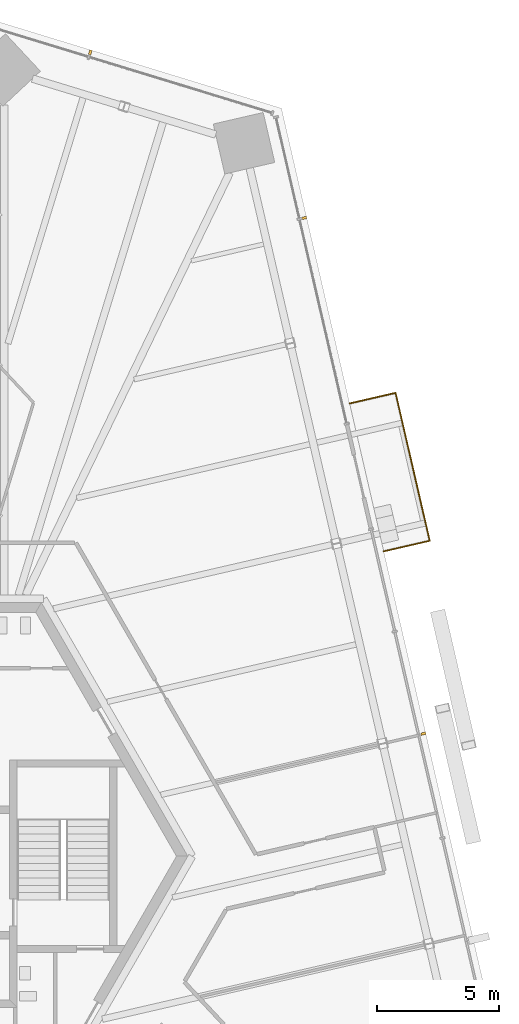
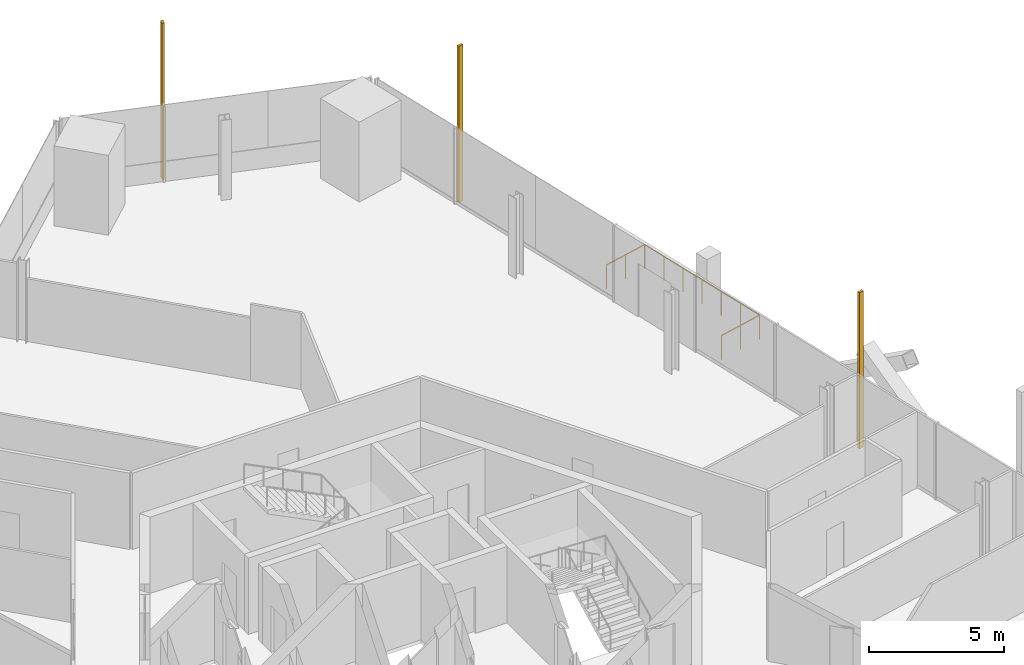
# One storey, part 21 of 24: 3 shading devices, 1 railing.
"""IFC4 building model written with IfcOpenShell, lengths in metres."""

from ifc_helpers import new_model, si_unit, direction, frame, origin, origin_2d, place, context, subcontext, project, spatial, rectangle, circle, extrude, source, transform, mapped, material, type_object, element, save


model = new_model("IFC4")

# Units and contexts
model_context = context("Model", 3, precision=1e-05, world=origin(), true_north=direction((0.0, 1.0)))
body_context = subcontext(model_context, "Body", "Model", "MODEL_VIEW")
ifc_project = project(units=[si_unit("LENGTHUNIT", "METRE"), si_unit("AREAUNIT", "SQUARE_METRE"), si_unit("VOLUMEUNIT", "CUBIC_METRE"), si_unit("PLANEANGLEUNIT", "RADIAN"), si_unit("MASSUNIT", "GRAM", prefix="KILO")], contexts=[model_context])

# Site, building, storey
site_placement = place(None, origin())
site = spatial("IfcSite", under=ifc_project, at=site_placement, CompositionType="ELEMENT")
building_placement = place(site_placement, origin())
building = spatial("IfcBuilding", under=site, at=building_placement, Name="Triune Harvest Tower", CompositionType="ELEMENT")
storey_placement = place(building_placement, frame((0.0, 0.0, 112.699951171875)))
storey = spatial("IfcBuildingStorey", under=building, at=storey_placement, Name="L28", CompositionType="ELEMENT", Elevation=112.699951171875)

# Railing
ifc_material_1 = material(Name="Glass", Category="glass")
railing_type = type_object("IfcRailingType", Name="GD-2 balcony guard 1100", PredefinedType="GUARDRAIL", material=ifc_material_1)
railing_placement = place(storey_placement, frame((20.02783203125, 12.489990234375, 0.0)))
element("IfcRailing", 1, at=railing_placement, inside=storey, type_object=railing_type, Name="Balcony guard B3-F1 L28.9", PredefinedType="GUARDRAIL", context=body_context, shape_type="SweptSolid", body=[
    extrude(circle(Radius=0.02392578125, at=origin_2d()), frame((0.0, 0.0, 1.076171875), z_axis=(0.974384803676, 0.224887203651, 0.0), x_axis=(-0.224887203651, 0.974384803676, 0.0)), (0.0, 0.0, 1.0), 1.931396484375),
    extrude(circle(Radius=0.02392578125, at=origin_2d()), frame((1.8818359375, 0.434326171875, 1.076171875), z_axis=(-0.224945519463, 0.974371342597, 0.0), x_axis=(-0.974371342597, -0.224945519463, 0.0)), (0.0, 0.0, 1.0), 6.218994140625),
    extrude(circle(Radius=0.02392578125, at=origin_2d()), frame((0.48291015625, 6.493896484375, 1.076171875), z_axis=(-0.9743570968, -0.225007217476, 0.0), x_axis=(0.225007217476, -0.9743570968, 0.0)), (0.0, 0.0, 1.0), 1.931396484375),
    extrude(circle(Radius=0.02099609375, at=origin_2d()), origin(), (0.0, 0.0, 1.0), 1.052001953125),
    extrude(circle(Radius=0.02099609375, at=origin_2d()), frame((0.94091796875, 0.21728515625, 0.0)), (0.0, 0.0, 1.0), 1.052001953125),
    extrude(circle(Radius=0.02099609375, at=origin_2d()), frame((1.8818359375, 0.434326171875, 0.0)), (0.0, 0.0, 1.0), 1.052001953125),
    extrude(circle(Radius=0.02099609375, at=origin_2d()), frame((1.648681640625, 1.4443359375, 0.0)), (0.0, 0.0, 1.0), 1.052001953125),
    extrude(circle(Radius=0.02099609375, at=origin_2d()), frame((1.41552734375, 2.4541015625, 0.0)), (0.0, 0.0, 1.0), 1.052001953125),
    extrude(circle(Radius=0.02099609375, at=origin_2d()), frame((1.182373046875, 3.464111328125, 0.0)), (0.0, 0.0, 1.0), 1.052001953125),
    extrude(circle(Radius=0.02099609375, at=origin_2d()), frame((0.94921875, 4.47412109375, 0.0)), (0.0, 0.0, 1.0), 1.052001953125),
    extrude(circle(Radius=0.02099609375, at=origin_2d()), frame((0.716064453125, 5.48388671875, 0.0)), (0.0, 0.0, 1.0), 1.052001953125),
    extrude(circle(Radius=0.02099609375, at=origin_2d()), frame((0.48291015625, 6.493896484375, 0.0)), (0.0, 0.0, 1.0), 1.052001953125),
    extrude(circle(Radius=0.02099609375, at=origin_2d()), frame((-0.4580078125, 6.276611328125, 0.0)), (0.0, 0.0, 1.0), 1.052001953125),
    extrude(circle(Radius=0.02099609375, at=origin_2d()), frame((-1.39892578125, 6.059326171875, 0.0)), (0.0, 0.0, 1.0), 1.052001953125),
])

# Shading devices
ifc_material_2 = material(Name="Aluminium bronze anodised", Category="aluminium")
shared_shape = source(origin(), body_context, "Body", "SweptSolid", [
    extrude(rectangle(XDim=0.10009765625, YDim=0.199951171875, at=origin_2d()), origin(), (0.0, 0.0, 1.0), 7.0400390625),
])
for number, where, z_axis, x_axis, name in (
    (2, (21.649658203125, 5.021240234375, 0.0), (0.0, 0.0, 1.0), (-0.22495121687, 0.974370027263, 0.0), "FN-1 fin B3-F1.7 L28"),
    (3, (16.771728515625, 26.149658203125, 0.0), (0.0, 0.0, 1.0), (-0.22495121687, 0.974370027263, 0.0), "FN-1 fin B3-F1.12 L28"),
    (4, (8.003662109375, 32.931640625, 0.0), (0.0, 0.0, 1.0), (-0.956303148607, 0.292376962095, 0.0), "FN-1 fin B3-F2.3 L28"),
):
    element("IfcShadingDevice", number, at=place(storey_placement, frame(where, z_axis=z_axis, x_axis=x_axis)), inside=storey, material=ifc_material_2, Name=name, ObjectType="FIN", PredefinedType="USERDEFINED", context=body_context, shape_type="MappedRepresentation", body=[
        mapped(shared_shape, transform((0.0, 0.0, 0.0), scale=1.0)),
    ])

save(model, "model.ifc")
